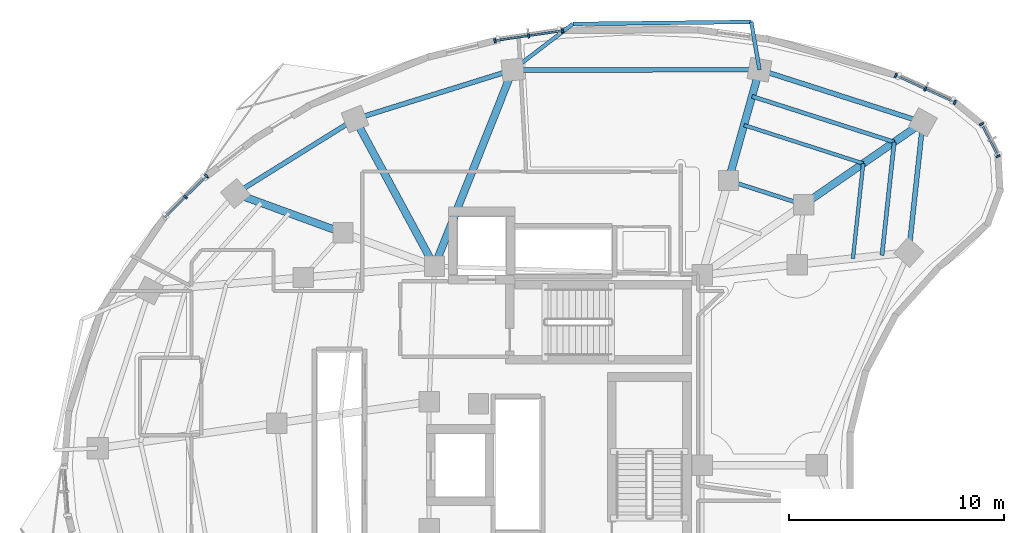
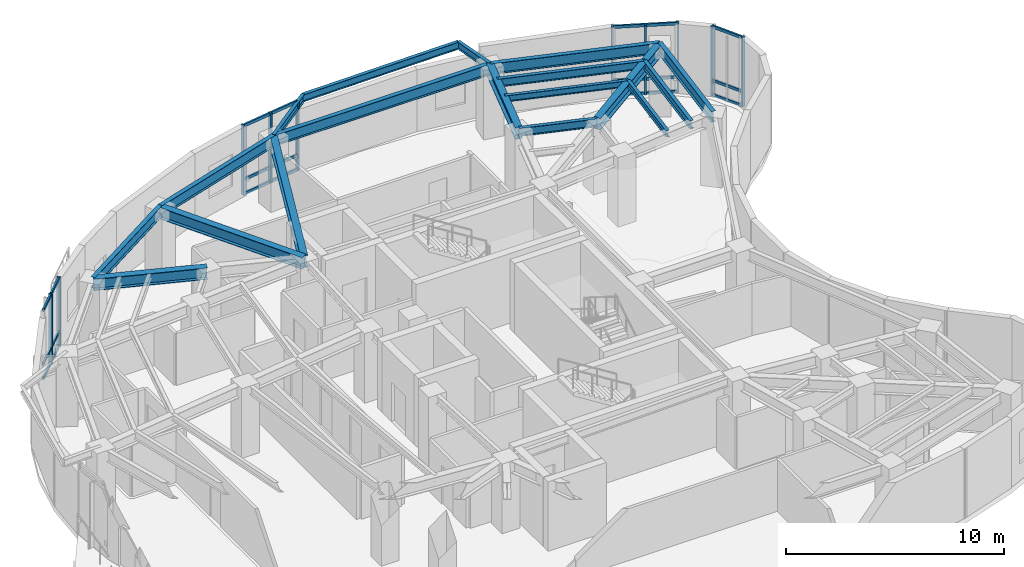
# One storey, part 5 of 13: 31 members, 18 beams, 4 elements without a shape of their own.
"""IFC4 building model written with IfcOpenShell, lengths in metres."""

import ifcopenshell
import ifcopenshell.guid

model = None  # the IFC model being written
_history = None  # IfcOwnerHistory: only IFC2X3 demands one
_inside = {}  # id of a spatial element -> (the spatial element, [elements in it])
_under = {}  # id of a project, library or spatial element -> (it, [spatial elements below it])
_declared = {}  # id of a project -> (the project, [libraries it declares])
_typed = {}  # id of a type object -> (the type object, [elements of that type])
_made_of = {}  # id of a material, layer set ... -> (it, [elements and type objects made of it])


def new_model(schema):
    """Start an empty IFC model of exactly this schema.

    Asked for "IFC4X3", IfcOpenShell would pick the latest addendum, in which some entities
    have other attributes; the version numbers below select the first issue.
    IFC2X3 requires an IfcOwnerHistory on every rooted entity: one is made here for all.
    """
    global model, _history
    if schema == "IFC4X3":
        model = ifcopenshell.file(schema_version=(4, 3, 0, 0))
    else:
        model = ifcopenshell.file(schema=schema)
    _inside.clear()
    _under.clear()
    _declared.clear()
    _typed.clear()
    _made_of.clear()
    _history = None
    if model.schema == "IFC2X3":
        org = make("IfcOrganization", Name="unknown")
        user = make(
            "IfcPersonAndOrganization",
            ThePerson=make("IfcPerson", FamilyName="unknown"),
            TheOrganization=org,
        )
        app = make(
            "IfcApplication",
            ApplicationDeveloper=org,
            Version="unknown",
            ApplicationFullName="unknown",
            ApplicationIdentifier="unknown",
        )
        _history = make(
            "IfcOwnerHistory",
            OwningUser=user,
            OwningApplication=app,
            ChangeAction="ADDED",
            CreationDate=0,
        )
    return model


def make(cls, **values):
    """One entity of the class cls with the attributes given. An attribute that is None is left unset."""
    return model.create_entity(
        cls, **{name: value for name, value in values.items() if value is not None}
    )


def rooted(cls, **values):
    """An entity with a GlobalId (a new one), such as an element, a storey or a relation."""
    return make(cls, GlobalId=ifcopenshell.guid.new(), OwnerHistory=_history, **values)


def si_unit(unit_type, name, prefix=None):
    """IfcSIUnit, for example si_unit("LENGTHUNIT", "METRE", prefix="MILLI")."""
    return make("IfcSIUnit", UnitType=unit_type, Prefix=prefix, Name=name)


def assignment(units):
    """IfcUnitAssignment: the units of a project."""
    return None if units is None else make("IfcUnitAssignment", Units=units)


def point(xyz):
    """IfcCartesianPoint."""
    return None if xyz is None else make("IfcCartesianPoint", Coordinates=xyz)


def direction(xyz):
    """IfcDirection."""
    return None if xyz is None else make("IfcDirection", DirectionRatios=xyz)


def frame(location, z_axis=None, x_axis=None):
    """IfcAxis2Placement3D, a coordinate frame: its origin and axes. An axis left out is left unset."""
    return make(
        "IfcAxis2Placement3D",
        Location=point(location),
        Axis=direction(z_axis),
        RefDirection=direction(x_axis),
    )


def frame_2d(location, x_axis=None):
    """IfcAxis2Placement2D, a coordinate frame in the plane: its origin and x axis."""
    return make(
        "IfcAxis2Placement2D", Location=point(location), RefDirection=direction(x_axis)
    )


def origin():
    """The frame at (0, 0, 0) with its axes left unset."""
    return frame((0.0, 0.0, 0.0))


def origin_2d():
    """The frame at (0, 0) in the plane with its x axis left unset."""
    return frame_2d((0.0, 0.0))


def place(relative_to, where):
    """IfcLocalPlacement: puts the frame where relative to a parent placement (None: the world)."""
    return make(
        "IfcLocalPlacement", PlacementRelTo=relative_to, RelativePlacement=where
    )


def context(
    kind, dimensions, precision=None, world=None, true_north=None, identifier=None
):
    """IfcGeometricRepresentationContext, for example the 3D "Model" context."""
    return make(
        "IfcGeometricRepresentationContext",
        ContextIdentifier=identifier,
        ContextType=kind,
        CoordinateSpaceDimension=dimensions,
        Precision=precision,
        WorldCoordinateSystem=world,
        TrueNorth=true_north,
    )


def subcontext(parent, identifier, kind, view, scale=None):
    """IfcGeometricRepresentationSubContext, for example "Body" below "Model"."""
    return make(
        "IfcGeometricRepresentationSubContext",
        ContextIdentifier=identifier,
        ContextType=kind,
        ParentContext=parent,
        TargetScale=scale,
        TargetView=view,
    )


def project(units=None, contexts=None):
    """IfcProject with its units and contexts."""
    return rooted(
        "IfcProject",
        Name="project",
        RepresentationContexts=contexts,
        UnitsInContext=assignment(units),
    )


def spatial(cls, under=None, at=None, **own):
    """A site, building, storey or space (cls), placed at a placement, below another one or the project."""
    s = rooted(cls, ObjectPlacement=at, **own)
    if under is not None:
        _under.setdefault(under.id(), (under, []))[1].append(s)
    return s


def profile(cls, at=None, kind="AREA", **sizes):
    """A parametric profile (cls). Its sizes go by their IFC names, for example OverallWidth=200.0."""
    return make(cls, ProfileType=kind, Position=at, **sizes)


def rectangle(**sizes):
    """IfcRectangleProfileDef."""
    return profile("IfcRectangleProfileDef", **sizes)


def i_section(**sizes):
    """IfcIShapeProfileDef."""
    return profile("IfcIShapeProfileDef", **sizes)


def extrude(swept, where, along, depth):
    """IfcExtrudedAreaSolid: the profile swept, set in the frame where, extruded along a direction by depth."""
    return make(
        "IfcExtrudedAreaSolid",
        SweptArea=swept,
        Position=where,
        ExtrudedDirection=direction(along),
        Depth=depth,
    )


def shape(context_of_items, identifier, shape_type, items):
    """IfcShapeRepresentation: the items that make up one representation, for example the "Body"."""
    return make(
        "IfcShapeRepresentation",
        ContextOfItems=context_of_items,
        RepresentationIdentifier=identifier,
        RepresentationType=shape_type,
        Items=items,
    )


def material(Name=None, Category=None):
    """IfcMaterial."""
    return make("IfcMaterial", Name=Name, Category=Category)


def layer(
    of_material, thickness, ventilated=None, Name=None, Category=None, Priority=None
):
    """IfcMaterialLayer: one layer of a wall or slab, of a material (None: an air gap)."""
    return make(
        "IfcMaterialLayer",
        Material=of_material,
        LayerThickness=thickness,
        IsVentilated=ventilated,
        Name=Name,
        Category=Category,
        Priority=Priority,
    )


def layer_set(layers, Name=None):
    """IfcMaterialLayerSet."""
    return make("IfcMaterialLayerSet", MaterialLayers=layers, LayerSetName=Name)


def material_profile(
    of_material, cross_section, Name=None, Category=None, Priority=None
):
    """IfcMaterialProfile: a cross section and its material."""
    return make(
        "IfcMaterialProfile",
        Name=Name,
        Material=of_material,
        Profile=cross_section,
        Priority=Priority,
        Category=Category,
    )


def profile_set(profiles, Name=None, composite=None):
    """IfcMaterialProfileSet."""
    return make(
        "IfcMaterialProfileSet",
        Name=Name,
        MaterialProfiles=profiles,
        CompositeProfile=composite,
    )


def made_of(thing, what):
    """Note that an element or type object is made of a material, layer set ...; save() writes the relation."""
    if what is not None:
        _made_of.setdefault(what.id(), (what, []))[1].append(thing)
    return thing


def type_object(cls, material=None, **own):
    """A type object (cls), such as IfcWallType, which elements share."""
    return made_of(rooted(cls, **own), material)


def element(
    cls,
    number,
    at=None,
    inside=None,
    cuts=None,
    type_object=None,
    material=None,
    context=None,
    identifier="Body",
    shape_type=None,
    held_by="IfcProductDefinitionShape",
    body=None,
    shapes=None,
    **own,
):
    """One element of the class cls, such as IfcWall. Its Tag is "e" and its number.

    at: its placement. inside: the storey or other place that contains it. cuts: it is an
    opening in that element (IfcRelVoidsElement). A single representation is given by context,
    identifier, shape_type and body (its items); several are given by shapes. held_by: the class
    of the entity that holds the representations. save() writes the other relations.
    """
    e = rooted(cls, Tag="e%d" % number, ObjectPlacement=at, **own)
    if body is not None:
        shapes = [shape(context, identifier, shape_type, body)]
    if shapes is not None:
        e.Representation = make(held_by, Representations=shapes)
    if inside is not None:
        _inside.setdefault(inside.id(), (inside, []))[1].append(e)
    if cuts is not None:
        rooted(
            "IfcRelVoidsElement", RelatingBuildingElement=cuts, RelatedOpeningElement=e
        )
    if type_object is not None:
        _typed.setdefault(type_object.id(), (type_object, []))[1].append(e)
    return made_of(e, material)


def aggregate(whole, parts):
    """IfcRelAggregates: a whole, such as a stair, and the parts it consists of."""
    return rooted("IfcRelAggregates", RelatingObject=whole, RelatedObjects=parts)


def save(model, path):
    """Write the relations noted so far, then the file.

    IfcRelAggregates (storeys below a building ...), IfcRelContainedInSpatialStructure (elements
    in a storey), IfcRelDefinesByType, IfcRelAssociatesMaterial and IfcRelDeclares: one each for
    every whole, place, type object, material and project.
    """
    for whole, parts in _under.values():
        aggregate(whole, parts)
    for where, things in _inside.values():
        rooted(
            "IfcRelContainedInSpatialStructure",
            RelatedElements=things,
            RelatingStructure=where,
        )
    for kind, things in _typed.values():
        rooted("IfcRelDefinesByType", RelatedObjects=things, RelatingType=kind)
    for what, things in _made_of.values():
        rooted("IfcRelAssociatesMaterial", RelatedObjects=things, RelatingMaterial=what)
    for by, libraries in _declared.values():
        rooted("IfcRelDeclares", RelatingContext=by, RelatedDefinitions=libraries)
    model.write(path)


model = new_model("IFC4")

# Units and contexts
model_context = context("Model", 3, precision=1e-05, world=origin(), true_north=direction((0.0, 1.0)))
body_context = subcontext(model_context, "Body", "Model", "MODEL_VIEW")
ifc_project = project(units=[si_unit("LENGTHUNIT", "METRE"), si_unit("AREAUNIT", "SQUARE_METRE"), si_unit("VOLUMEUNIT", "CUBIC_METRE"), si_unit("PLANEANGLEUNIT", "RADIAN"), si_unit("MASSUNIT", "GRAM", prefix="KILO")], contexts=[model_context])

# Site, building, storey
site_placement = place(None, origin())
site = spatial("IfcSite", under=ifc_project, at=site_placement, CompositionType="ELEMENT")
building_placement = place(site_placement, origin())
building = spatial("IfcBuilding", under=site, at=building_placement, Name="Korentha Bioscience Tower", CompositionType="ELEMENT")
storey_placement = place(building_placement, frame((0.0, 0.0, 175.199951171875)))
storey = spatial("IfcBuildingStorey", under=building, at=storey_placement, Name="L40", CompositionType="ELEMENT", Elevation=175.199951171875)

# Beam
ifc_material_1 = material(Name="Steel S355", Category="steel")
ifc_material_profile_1 = material_profile(ifc_material_1, i_section(OverallWidth=0.18994140625, OverallDepth=0.45703125, WebThickness=0.009033203125, FlangeThickness=0.014404296875, at=origin_2d()), Name="Steel S355")
ifc_profile_set_1 = profile_set([ifc_material_profile_1], Name="Steel S355 (MB-460)")
beam_type_1 = type_object("IfcBeamType", Name="Mid-Ring Tie Girder W460x74", PredefinedType="BEAM", material=ifc_profile_set_1)
beam_1_placement = place(storey_placement, frame((42.274658203125, 39.1171875, 3.671630859375), z_axis=(-0.952000195343, 0.306097415976, 0.0), x_axis=(-0.306097415976, -0.952000195343, 0.0)))
element("IfcBeam", 1, at=beam_1_placement, inside=storey, type_object=beam_type_1, Name="L40 Mid-Ring Tie Girder 01", PredefinedType="BEAM", context=body_context, shape_type="SweptSolid", body=[
    extrude(i_section(OverallWidth=0.18994140625, OverallDepth=0.45703125, WebThickness=0.009033203125, FlangeThickness=0.014404296875, at=origin_2d()), origin(), (0.0, 0.0, 1.0), 3.672119140625),
])

# Curtain wall, members
ifc_material_2 = material(Name="Thermally Broken Aluminium Frame", Category="aluminium")
ifc_layer = layer(ifc_material_2, 0.219970703125, Name="Thermally Broken Aluminium Frame")
ifc_layer_set = layer_set([ifc_layer], Name="Thermally Broken Aluminium Frame (CW-T2)")
curtain_wall_type = type_object("IfcCurtainWallType", Name="Solar-Screened Lab Unitised Curtain Wall CW-T2", PredefinedType="USERDEFINED", material=ifc_layer_set)
curtain_wall_1_placement = place(storey_placement, origin())
curtain_wall_1 = element("IfcCurtainWall", 2, at=curtain_wall_1_placement, inside=storey, type_object=curtain_wall_type, Name="L40 Curtain Wall 01", ObjectType="UNITISED", PredefinedType="USERDEFINED")
ifc_material_3 = material(Name="Anodised Aluminium 6063-T6", Category="aluminium")
ifc_material_profile_2 = material_profile(ifc_material_3, rectangle(XDim=0.090087890625, YDim=0.199951171875, at=origin_2d()), Name="Anodised Aluminium 6063-T6")
ifc_profile_set_2 = profile_set([ifc_material_profile_2], Name="Anodised Aluminium 6063-T6 (CW-MUL)")
member_type_1 = type_object("IfcMemberType", Name="Mullion RECT 90x200", PredefinedType="MULLION", material=ifc_profile_set_2)
member_1_placement = place(storey_placement, frame((49.314453125, 43.878173828125, 0.0), z_axis=(0.0, 0.0, 1.0), x_axis=(-0.910644398392, 0.413190972406, 0.0)))
member_1 = element("IfcMember", 3, at=member_1_placement, type_object=member_type_1, Name="CW-L40-01 Mullion 1", PredefinedType="MULLION", context=body_context, shape_type="SweptSolid", body=[
    extrude(rectangle(XDim=0.090087890625, YDim=0.199951171875, at=origin_2d()), origin(), (0.0, 0.0, 1.0), 3.900146484375),
])
member_2_placement = place(storey_placement, frame((47.93701171875, 44.503173828125, 0.0), z_axis=(0.0, 0.0, 1.0), x_axis=(-0.910644398392, 0.413190972406, 0.0)))
member_2 = element("IfcMember", 4, at=member_2_placement, type_object=member_type_1, Name="CW-L40-01 Mullion 2", PredefinedType="MULLION", context=body_context, shape_type="SweptSolid", body=[
    extrude(rectangle(XDim=0.090087890625, YDim=0.199951171875, at=origin_2d()), origin(), (0.0, 0.0, 1.0), 3.900146484375),
])
member_3_placement = place(storey_placement, frame((46.5595703125, 45.128173828125, 0.0), z_axis=(0.0, 0.0, 1.0), x_axis=(-0.910644398392, 0.413190972406, 0.0)))
member_3 = element("IfcMember", 5, at=member_3_placement, type_object=member_type_1, Name="CW-L40-01 Mullion 3", PredefinedType="MULLION", context=body_context, shape_type="SweptSolid", body=[
    extrude(rectangle(XDim=0.090087890625, YDim=0.199951171875, at=origin_2d()), origin(), (0.0, 0.0, 1.0), 3.900146484375),
])

curtain_wall_2_placement = place(storey_placement, origin())
curtain_wall_2 = element("IfcCurtainWall", 6, at=curtain_wall_2_placement, inside=storey, type_object=curtain_wall_type, Name="L40 Curtain Wall 07", ObjectType="UNITISED", PredefinedType="USERDEFINED")
member_4_placement = place(storey_placement, frame((31.056640625, 47.205078125, 0.0), z_axis=(0.0, 0.0, 1.0), x_axis=(-0.989461919888, -0.144793332342, 0.0)))
member_4 = element("IfcMember", 7, at=member_4_placement, type_object=member_type_1, Name="CW-L40-07 Mullion 1", PredefinedType="MULLION", context=body_context, shape_type="SweptSolid", body=[
    extrude(rectangle(XDim=0.090087890625, YDim=0.199951171875, at=origin_2d()), origin(), (0.0, 0.0, 1.0), 3.900146484375),
])
member_5_placement = place(storey_placement, frame((29.485107421875, 46.97509765625, 0.0), z_axis=(0.0, 0.0, 1.0), x_axis=(-0.989461919888, -0.144793332342, 0.0)))
member_5 = element("IfcMember", 8, at=member_5_placement, type_object=member_type_1, Name="CW-L40-07 Mullion 2", PredefinedType="MULLION", context=body_context, shape_type="SweptSolid", body=[
    extrude(rectangle(XDim=0.090087890625, YDim=0.199951171875, at=origin_2d()), origin(), (0.0, 0.0, 1.0), 3.900146484375),
])
member_6_placement = place(storey_placement, frame((27.913330078125, 46.7451171875, 0.0), z_axis=(0.0, 0.0, 1.0), x_axis=(-0.989461919888, -0.144793332342, 0.0)))
member_6 = element("IfcMember", 9, at=member_6_placement, type_object=member_type_1, Name="CW-L40-07 Mullion 3", PredefinedType="MULLION", context=body_context, shape_type="SweptSolid", body=[
    extrude(rectangle(XDim=0.090087890625, YDim=0.199951171875, at=origin_2d()), origin(), (0.0, 0.0, 1.0), 3.900146484375),
])

curtain_wall_3_placement = place(storey_placement, origin())
curtain_wall_3 = element("IfcCurtainWall", 10, at=curtain_wall_3_placement, inside=storey, type_object=curtain_wall_type, Name="L40 Curtain Wall 13", ObjectType="UNITISED", PredefinedType="USERDEFINED")
member_7_placement = place(storey_placement, frame((14.49951171875, 40.44287109375, 0.0), z_axis=(0.0, 0.0, 1.0), x_axis=(-0.711460557971, -0.702726030862, 0.0)))
member_7 = element("IfcMember", 11, at=member_7_placement, type_object=member_type_1, Name="CW-L40-13 Mullion 1", PredefinedType="MULLION", context=body_context, shape_type="SweptSolid", body=[
    extrude(rectangle(XDim=0.090087890625, YDim=0.199951171875, at=origin_2d()), origin(), (0.0, 0.0, 1.0), 3.900146484375),
])
member_8_placement = place(storey_placement, frame((13.517333984375, 39.472900390625, 0.0), z_axis=(0.0, 0.0, 1.0), x_axis=(-0.711460557971, -0.702726030862, 0.0)))
member_8 = element("IfcMember", 12, at=member_8_placement, type_object=member_type_1, Name="CW-L40-13 Mullion 2", PredefinedType="MULLION", context=body_context, shape_type="SweptSolid", body=[
    extrude(rectangle(XDim=0.090087890625, YDim=0.199951171875, at=origin_2d()), origin(), (0.0, 0.0, 1.0), 3.900146484375),
])

curtain_wall_4_placement = place(storey_placement, origin())
curtain_wall_4 = element("IfcCurtainWall", 13, at=curtain_wall_4_placement, inside=storey, type_object=curtain_wall_type, Name="L40 Curtain Wall 61", ObjectType="UNITISED", PredefinedType="USERDEFINED")
member_9_placement = place(storey_placement, frame((51.31884765625, 41.375732421875, 0.0), z_axis=(0.0, 0.0, 1.0), x_axis=(-0.45428845847, 0.890854643868, 0.0)))
member_9 = element("IfcMember", 14, at=member_9_placement, type_object=member_type_1, Name="CW-L40-61 Mullion 1", PredefinedType="MULLION", context=body_context, shape_type="SweptSolid", body=[
    extrude(rectangle(XDim=0.090087890625, YDim=0.199951171875, at=origin_2d()), origin(), (0.0, 0.0, 1.0), 3.900146484375),
])
member_10_placement = place(storey_placement, frame((50.5546875, 42.873779296875, 0.0), z_axis=(0.0, 0.0, 1.0), x_axis=(-0.45428845847, 0.890854643868, 0.0)))
member_10 = element("IfcMember", 15, at=member_10_placement, type_object=member_type_1, Name="CW-L40-61 Mullion 2", PredefinedType="MULLION", context=body_context, shape_type="SweptSolid", body=[
    extrude(rectangle(XDim=0.090087890625, YDim=0.199951171875, at=origin_2d()), origin(), (0.0, 0.0, 1.0), 3.900146484375),
])

# Beams
ifc_material_profile_3 = material_profile(ifc_material_1, i_section(OverallWidth=0.22802734375, OverallDepth=0.60791015625, WebThickness=0.01123046875, FlangeThickness=0.017333984375, at=origin_2d()), Name="Steel S355")
ifc_profile_set_3 = profile_set([ifc_material_profile_3], Name="Steel S355 (SB-610)")
beam_type_2 = type_object("IfcBeamType", Name="Perimeter Ring Spandrel Girder W610x113", PredefinedType="SPANDREL", material=ifc_profile_set_3)
beam_2_placement = place(storey_placement, frame((47.821044921875, 42.95263671875, 3.595947265625), z_axis=(-0.952008512555, 0.306071547228, 0.0), x_axis=(-0.306071547228, -0.952008512555, 0.0)))
element("IfcBeam", 16, at=beam_2_placement, inside=storey, type_object=beam_type_2, Name="L40 Perimeter Spandrel Girder 01", PredefinedType="SPANDREL", context=body_context, shape_type="SweptSolid", body=[
    extrude(i_section(OverallWidth=0.22802734375, OverallDepth=0.60791015625, WebThickness=0.01123046875, FlangeThickness=0.017333984375, at=origin_2d()), origin(), (0.0, 0.0, 1.0), 7.98291015625),
])
beam_3_placement = place(storey_placement, frame((40.22119140625, 45.39599609375, 3.595947265625), z_axis=(-0.99999988041, -0.000489059883, 0.0), x_axis=(0.000489059883, -0.99999988041, 0.0)))
element("IfcBeam", 17, at=beam_3_placement, inside=storey, type_object=beam_type_2, Name="L40 Perimeter Spandrel Girder 02", PredefinedType="SPANDREL", context=body_context, shape_type="SweptSolid", body=[
    extrude(i_section(OverallWidth=0.22802734375, OverallDepth=0.60791015625, WebThickness=0.01123046875, FlangeThickness=0.017333984375, at=origin_2d()), origin(), (0.0, 0.0, 1.0), 11.481689453125),
])
beam_4_placement = place(storey_placement, frame((28.739501953125, 45.390380859375, 3.595947265625), z_axis=(-0.954638172607, -0.29776829818, 0.0), x_axis=(0.29776829818, -0.954638172607, 0.0)))
element("IfcBeam", 18, at=beam_4_placement, inside=storey, type_object=beam_type_2, Name="L40 Perimeter Spandrel Girder 03", PredefinedType="SPANDREL", context=body_context, shape_type="SweptSolid", body=[
    extrude(i_section(OverallWidth=0.22802734375, OverallDepth=0.60791015625, WebThickness=0.01123046875, FlangeThickness=0.017333984375, at=origin_2d()), origin(), (0.0, 0.0, 1.0), 7.682373046875),
])
beam_5_placement = place(storey_placement, frame((21.405517578125, 43.102783203125, 3.595947265625), z_axis=(-0.848675740059, -0.528913497876, 0.0), x_axis=(0.528913497876, -0.848675740059, 0.0)))
element("IfcBeam", 19, at=beam_5_placement, inside=storey, type_object=beam_type_2, Name="L40 Perimeter Spandrel Girder 04", PredefinedType="SPANDREL", context=body_context, shape_type="SweptSolid", body=[
    extrude(i_section(OverallWidth=0.22802734375, OverallDepth=0.60791015625, WebThickness=0.01123046875, FlangeThickness=0.017333984375, at=origin_2d()), origin(), (0.0, 0.0, 1.0), 6.55322265625),
])
beam_6_placement = place(storey_placement, frame((47.16748046875, 36.89794921875, 3.595947265625), z_axis=(0.10732012232, 0.994224517574, 0.0), x_axis=(-0.994224517574, 0.10732012232, 0.0)))
element("IfcBeam", 20, at=beam_6_placement, inside=storey, type_object=beam_type_2, Name="L40 Perimeter Spandrel Girder 16", PredefinedType="SPANDREL", context=body_context, shape_type="SweptSolid", body=[
    extrude(i_section(OverallWidth=0.22802734375, OverallDepth=0.60791015625, WebThickness=0.01123046875, FlangeThickness=0.017333984375, at=origin_2d()), origin(), (0.0, 0.0, 1.0), 6.08984375),
])
ifc_material_profile_4 = material_profile(ifc_material_1, i_section(OverallWidth=0.18994140625, OverallDepth=0.45703125, WebThickness=0.009033203125, FlangeThickness=0.014404296875, at=origin_2d()), Name="Steel S355")
ifc_profile_set_4 = profile_set([ifc_material_profile_4], Name="Steel S355 (RB-460)")
beam_type_3 = type_object("IfcBeamType", Name="Radial Laboratory Beam W460x74", PredefinedType="BEAM", material=ifc_profile_set_4)
beam_7_placement = place(storey_placement, frame((46.489990234375, 42.031982421875, 3.671630859375), z_axis=(-0.952009183817, 0.306069459318, 0.0), x_axis=(-0.306069459318, -0.952009183817, 0.0)))
element("IfcBeam", 21, at=beam_7_placement, inside=storey, type_object=beam_type_3, Name="L40 Secondary Floor Beam JSTO-01", PredefinedType="BEAM", context=body_context, shape_type="SweptSolid", body=[
    extrude(i_section(OverallWidth=0.18994140625, OverallDepth=0.45703125, WebThickness=0.009033203125, FlangeThickness=0.014404296875, at=origin_2d()), origin(), (0.0, 0.0, 1.0), 6.948486328125),
])
beam_8_placement = place(storey_placement, frame((45.921142578125, 36.76220703125, 3.671630859375), z_axis=(0.107321875607, 0.994224328316, 0.0), x_axis=(-0.994224328316, 0.107321875607, 0.0)))
element("IfcBeam", 22, at=beam_8_placement, inside=storey, type_object=beam_type_3, Name="L40 Secondary Floor Beam JSTO-16", PredefinedType="BEAM", context=body_context, shape_type="SweptSolid", body=[
    extrude(i_section(OverallWidth=0.18994140625, OverallDepth=0.45703125, WebThickness=0.009033203125, FlangeThickness=0.014404296875, at=origin_2d()), origin(), (0.0, 0.0, 1.0), 5.30029296875),
])
ifc_material_profile_5 = material_profile(ifc_material_1, i_section(OverallWidth=0.35009765625, OverallDepth=0.64990234375, WebThickness=0.01611328125, FlangeThickness=0.02490234375, at=origin_2d()), Name="Steel S355")
ifc_profile_set_5 = profile_set([ifc_material_profile_5], Name="Steel S355 (RB-650)")
beam_type_4 = type_object("IfcBeamType", Name="Radial Laboratory Girder CVS 650x208", PredefinedType="BEAM", material=ifc_profile_set_5)
beam_9_placement = place(storey_placement, frame((42.274658203125, 39.1171875, 3.574951171875), z_axis=(0.822494455845, 0.568773127094, 0.0), x_axis=(-0.568773127094, 0.822494455845, 0.0)))
element("IfcBeam", 23, at=beam_9_placement, inside=storey, type_object=beam_type_4, Name="L40 Outer Radial Girder 01", PredefinedType="BEAM", context=body_context, shape_type="SweptSolid", body=[
    extrude(i_section(OverallWidth=0.35009765625, OverallDepth=0.64990234375, WebThickness=0.01611328125, FlangeThickness=0.02490234375, at=origin_2d()), origin(), (0.0, 0.0, 1.0), 6.743408203125),
])
beam_10_placement = place(storey_placement, frame((38.77880859375, 40.2412109375, 3.574951171875), z_axis=(0.269464128344, 0.963010427532, 0.0), x_axis=(-0.963010427532, 0.269464128344, 0.0)))
element("IfcBeam", 24, at=beam_10_placement, inside=storey, type_object=beam_type_4, Name="L40 Outer Radial Girder 02", PredefinedType="BEAM", context=body_context, shape_type="SweptSolid", body=[
    extrude(i_section(OverallWidth=0.35009765625, OverallDepth=0.64990234375, WebThickness=0.01611328125, FlangeThickness=0.02490234375, at=origin_2d()), origin(), (0.0, 0.0, 1.0), 5.352783203125),
])
beam_11_placement = place(storey_placement, frame((25.10009765625, 36.25, 3.574951171875), z_axis=(0.369922682955, 0.929062542909, 0.0), x_axis=(-0.929062542909, 0.369922682955, 0.0)))
element("IfcBeam", 25, at=beam_11_placement, inside=storey, type_object=beam_type_4, Name="L40 Radial Girder 03", PredefinedType="BEAM", context=body_context, shape_type="SweptSolid", body=[
    extrude(i_section(OverallWidth=0.35009765625, OverallDepth=0.64990234375, WebThickness=0.01611328125, FlangeThickness=0.02490234375, at=origin_2d()), origin(), (0.0, 0.0, 1.0), 9.83837890625),
])
beam_12_placement = place(storey_placement, frame((25.10009765625, 36.25, 3.574951171875), z_axis=(-0.474559790141, 0.880223270302, 0.0), x_axis=(-0.880223270302, -0.474559790141, 0.0)))
element("IfcBeam", 26, at=beam_12_placement, inside=storey, type_object=beam_type_4, Name="L40 Radial Girder 04", PredefinedType="BEAM", context=body_context, shape_type="SweptSolid", body=[
    extrude(i_section(OverallWidth=0.35009765625, OverallDepth=0.64990234375, WebThickness=0.01611328125, FlangeThickness=0.02490234375, at=origin_2d()), origin(), (0.0, 0.0, 1.0), 7.785400390625),
])
beam_13_placement = place(storey_placement, frame((20.84228515625, 37.807861328125, 3.574951171875), z_axis=(-0.939109855566, 0.343617053097, 0.0), x_axis=(-0.343617053097, -0.939109855566, 0.0)))
element("IfcBeam", 27, at=beam_13_placement, inside=storey, type_object=beam_type_4, Name="L40 Outer Radial Girder 05", PredefinedType="BEAM", context=body_context, shape_type="SweptSolid", body=[
    extrude(i_section(OverallWidth=0.35009765625, OverallDepth=0.64990234375, WebThickness=0.01611328125, FlangeThickness=0.02490234375, at=origin_2d()), origin(), (0.0, 0.0, 1.0), 5.322265625),
])
ifc_material_profile_6 = material_profile(ifc_material_1, i_section(OverallWidth=0.1708984375, OverallDepth=0.35498046875, WebThickness=0.007080078125, FlangeThickness=0.01171875, at=origin_2d()), Name="Steel S355")
ifc_profile_set_6 = profile_set([ifc_material_profile_6], Name="Steel S355 (JB-360)")
beam_type_5 = type_object("IfcBeamType", Name="Secondary Laboratory Joist W360x51", PredefinedType="JOIST", material=ifc_profile_set_6)
beam_14_placement = place(storey_placement, frame((45.0478515625, 41.034912109375, 3.72265625), z_axis=(-0.952005892166, 0.306079697596, 0.0), x_axis=(-0.306079697596, -0.952005892166, 0.0)))
element("IfcBeam", 28, at=beam_14_placement, inside=storey, type_object=beam_type_5, Name="L40 Secondary Floor Beam JST-01", PredefinedType="JOIST", context=body_context, shape_type="SweptSolid", body=[
    extrude(i_section(OverallWidth=0.1708984375, OverallDepth=0.35498046875, WebThickness=0.007080078125, FlangeThickness=0.01171875, at=origin_2d()), origin(), (0.0, 0.0, 1.0), 5.82763671875),
])
beam_15_placement = place(storey_placement, frame((44.57080078125, 36.614990234375, 3.72265625), z_axis=(0.107308722475, 0.994225748048, 0.0), x_axis=(-0.994225748048, 0.107308722475, 0.0)))
element("IfcBeam", 29, at=beam_15_placement, inside=storey, type_object=beam_type_5, Name="L40 Secondary Floor Beam JST-16", PredefinedType="JOIST", context=body_context, shape_type="SweptSolid", body=[
    extrude(i_section(OverallWidth=0.1708984375, OverallDepth=0.35498046875, WebThickness=0.007080078125, FlangeThickness=0.01171875, at=origin_2d()), origin(), (0.0, 0.0, 1.0), 4.445556640625),
])
ifc_material_profile_7 = material_profile(ifc_material_1, i_section(OverallWidth=0.177978515625, OverallDepth=0.406982421875, WebThickness=0.0078125, FlangeThickness=0.0126953125, at=origin_2d()), Name="Steel S355")
ifc_profile_set_7 = profile_set([ifc_material_profile_7], Name="Steel S355 (CB-410)")
beam_type_6 = type_object("IfcBeamType", Name="Sun-Ledge Cantilever Beam W410x60", PredefinedType="BEAM", material=ifc_profile_set_7)
beam_16_placement = place(storey_placement, frame((40.22119140625, 45.39599609375, 3.698486328125), z_axis=(-0.169095852477, 0.985599610732, 0.0), x_axis=(-0.985599610732, -0.169095852477, 0.0)))
element("IfcBeam", 30, at=beam_16_placement, inside=storey, type_object=beam_type_6, Name="L40 Balcony Cantilever Bracket A-L41-01", PredefinedType="BEAM", context=body_context, shape_type="SweptSolid", body=[
    extrude(i_section(OverallWidth=0.177978515625, OverallDepth=0.406982421875, WebThickness=0.0078125, FlangeThickness=0.0126953125, at=origin_2d()), origin(), (0.0, 0.0, 1.0), 2.258056640625),
])
beam_17_placement = place(storey_placement, frame((28.739501953125, 45.390380859375, 3.698486328125), z_axis=(0.794810389594, 0.606857845458, 0.0), x_axis=(-0.606857845458, 0.794810389594, 0.0)))
element("IfcBeam", 31, at=beam_17_placement, inside=storey, type_object=beam_type_6, Name="L40 Balcony Cantilever Bracket B-L41-01", PredefinedType="BEAM", context=body_context, shape_type="SweptSolid", body=[
    extrude(i_section(OverallWidth=0.177978515625, OverallDepth=0.406982421875, WebThickness=0.0078125, FlangeThickness=0.0126953125, at=origin_2d()), origin(), (0.0, 0.0, 1.0), 3.520263671875),
])
beam_18_placement = place(storey_placement, frame((39.83935546875, 47.62158203125, 3.698486328125), z_axis=(-0.999934575407, -0.011438745768, 0.0), x_axis=(0.011438745768, -0.999934575407, 0.0)))
element("IfcBeam", 32, at=beam_18_placement, inside=storey, type_object=beam_type_6, Name="L40 Balcony Edge Trimmer Beam L41-01", PredefinedType="BEAM", context=body_context, shape_type="SweptSolid", body=[
    extrude(i_section(OverallWidth=0.177978515625, OverallDepth=0.406982421875, WebThickness=0.0078125, FlangeThickness=0.0126953125, at=origin_2d()), origin(), (0.0, 0.0, 1.0), 8.302490234375),
])

# Member
ifc_material_profile_8 = material_profile(ifc_material_3, rectangle(XDim=0.090087890625, YDim=0.159912109375, at=origin_2d()), Name="Anodised Aluminium 6063-T6")
ifc_profile_set_8 = profile_set([ifc_material_profile_8], Name="Anodised Aluminium 6063-T6 (CW-TRN)")
member_type_2 = type_object("IfcMemberType", Name="Transom RECT 90x160", PredefinedType="USERDEFINED", material=ifc_profile_set_8)
member_11_placement = place(storey_placement, frame((49.2734375, 43.896728515625, 0.045166015625), z_axis=(-0.910613165474, 0.41325980069, 0.0), x_axis=(-0.41325980069, -0.910613165474, 0.0)))
member_11 = element("IfcMember", 33, at=member_11_placement, type_object=member_type_2, Name="CW-L40-01 Bay 1 Transom 1", ObjectType="TRANSOM", PredefinedType="USERDEFINED", context=body_context, shape_type="SweptSolid", body=[
    extrude(rectangle(XDim=0.090087890625, YDim=0.159912109375, at=origin_2d()), origin(), (0.0, 0.0, 1.0), 1.422607421875),
])

member_12_placement = place(storey_placement, frame((49.2734375, 43.896728515625, 0.85009765625), z_axis=(-0.910613165474, 0.41325980069, 0.0), x_axis=(-0.41325980069, -0.910613165474, 0.0)))
member_12 = element("IfcMember", 34, at=member_12_placement, type_object=member_type_2, Name="CW-L40-01 Bay 1 Transom 2", ObjectType="TRANSOM", PredefinedType="USERDEFINED", context=body_context, shape_type="SweptSolid", body=[
    extrude(rectangle(XDim=0.090087890625, YDim=0.159912109375, at=origin_2d()), origin(), (0.0, 0.0, 1.0), 1.422607421875),
])

member_13_placement = place(storey_placement, frame((49.2734375, 43.896728515625, 3.85498046875), z_axis=(-0.910613165474, 0.41325980069, 0.0), x_axis=(-0.41325980069, -0.910613165474, 0.0)))
member_13 = element("IfcMember", 35, at=member_13_placement, type_object=member_type_2, Name="CW-L40-01 Bay 1 Transom 3", ObjectType="TRANSOM", PredefinedType="USERDEFINED", context=body_context, shape_type="SweptSolid", body=[
    extrude(rectangle(XDim=0.090087890625, YDim=0.159912109375, at=origin_2d()), origin(), (0.0, 0.0, 1.0), 1.422607421875),
])

member_14_placement = place(storey_placement, frame((47.89599609375, 44.521728515625, 0.045166015625), z_axis=(-0.910613165474, 0.41325980069, 0.0), x_axis=(-0.41325980069, -0.910613165474, 0.0)))
member_14 = element("IfcMember", 36, at=member_14_placement, type_object=member_type_2, Name="CW-L40-01 Bay 2 Transom 1", ObjectType="TRANSOM", PredefinedType="USERDEFINED", context=body_context, shape_type="SweptSolid", body=[
    extrude(rectangle(XDim=0.090087890625, YDim=0.159912109375, at=origin_2d()), origin(), (0.0, 0.0, 1.0), 1.422607421875),
])

member_15_placement = place(storey_placement, frame((47.89599609375, 44.521728515625, 0.85009765625), z_axis=(-0.910613165474, 0.41325980069, 0.0), x_axis=(-0.41325980069, -0.910613165474, 0.0)))
member_15 = element("IfcMember", 37, at=member_15_placement, type_object=member_type_2, Name="CW-L40-01 Bay 2 Transom 2", ObjectType="TRANSOM", PredefinedType="USERDEFINED", context=body_context, shape_type="SweptSolid", body=[
    extrude(rectangle(XDim=0.090087890625, YDim=0.159912109375, at=origin_2d()), origin(), (0.0, 0.0, 1.0), 1.422607421875),
])

member_16_placement = place(storey_placement, frame((47.89599609375, 44.521728515625, 3.85498046875), z_axis=(-0.910613165474, 0.41325980069, 0.0), x_axis=(-0.41325980069, -0.910613165474, 0.0)))
member_16 = element("IfcMember", 38, at=member_16_placement, type_object=member_type_2, Name="CW-L40-01 Bay 2 Transom 3", ObjectType="TRANSOM", PredefinedType="USERDEFINED", context=body_context, shape_type="SweptSolid", body=[
    extrude(rectangle(XDim=0.090087890625, YDim=0.159912109375, at=origin_2d()), origin(), (0.0, 0.0, 1.0), 1.422607421875),
])

aggregate(curtain_wall_1, [member_1, member_2, member_3, member_11, member_12, member_13, member_14, member_15, member_16])

member_17_placement = place(storey_placement, frame((31.01220703125, 47.198486328125, 0.045166015625), z_axis=(-0.989478137929, -0.144682461136, 0.0), x_axis=(0.144682461136, -0.989478137929, 0.0)))
member_17 = element("IfcMember", 39, at=member_17_placement, type_object=member_type_2, Name="CW-L40-07 Bay 1 Transom 1", ObjectType="TRANSOM", PredefinedType="USERDEFINED", context=body_context, shape_type="SweptSolid", body=[
    extrude(rectangle(XDim=0.090087890625, YDim=0.159912109375, at=origin_2d()), origin(), (0.0, 0.0, 1.0), 1.49853515625),
])

member_18_placement = place(storey_placement, frame((31.01220703125, 47.198486328125, 0.85009765625), z_axis=(-0.989478137929, -0.144682461136, 0.0), x_axis=(0.144682461136, -0.989478137929, 0.0)))
member_18 = element("IfcMember", 40, at=member_18_placement, type_object=member_type_2, Name="CW-L40-07 Bay 1 Transom 2", ObjectType="TRANSOM", PredefinedType="USERDEFINED", context=body_context, shape_type="SweptSolid", body=[
    extrude(rectangle(XDim=0.090087890625, YDim=0.159912109375, at=origin_2d()), origin(), (0.0, 0.0, 1.0), 1.49853515625),
])

member_19_placement = place(storey_placement, frame((31.01220703125, 47.198486328125, 3.85498046875), z_axis=(-0.989478137929, -0.144682461136, 0.0), x_axis=(0.144682461136, -0.989478137929, 0.0)))
member_19 = element("IfcMember", 41, at=member_19_placement, type_object=member_type_2, Name="CW-L40-07 Bay 1 Transom 3", ObjectType="TRANSOM", PredefinedType="USERDEFINED", context=body_context, shape_type="SweptSolid", body=[
    extrude(rectangle(XDim=0.090087890625, YDim=0.159912109375, at=origin_2d()), origin(), (0.0, 0.0, 1.0), 1.49853515625),
])

member_20_placement = place(storey_placement, frame((29.4404296875, 46.968505859375, 0.045166015625), z_axis=(-0.989474726473, -0.144705790038, 0.0), x_axis=(0.144705790038, -0.989474726473, 0.0)))
member_20 = element("IfcMember", 42, at=member_20_placement, type_object=member_type_2, Name="CW-L40-07 Bay 2 Transom 1", ObjectType="TRANSOM", PredefinedType="USERDEFINED", context=body_context, shape_type="SweptSolid", body=[
    extrude(rectangle(XDim=0.090087890625, YDim=0.159912109375, at=origin_2d()), origin(), (0.0, 0.0, 1.0), 1.498291015625),
])

member_21_placement = place(storey_placement, frame((29.4404296875, 46.968505859375, 0.85009765625), z_axis=(-0.989474726473, -0.144705790038, 0.0), x_axis=(0.144705790038, -0.989474726473, 0.0)))
member_21 = element("IfcMember", 43, at=member_21_placement, type_object=member_type_2, Name="CW-L40-07 Bay 2 Transom 2", ObjectType="TRANSOM", PredefinedType="USERDEFINED", context=body_context, shape_type="SweptSolid", body=[
    extrude(rectangle(XDim=0.090087890625, YDim=0.159912109375, at=origin_2d()), origin(), (0.0, 0.0, 1.0), 1.498291015625),
])

member_22_placement = place(storey_placement, frame((29.4404296875, 46.968505859375, 3.85498046875), z_axis=(-0.989474726473, -0.144705790038, 0.0), x_axis=(0.144705790038, -0.989474726473, 0.0)))
member_22 = element("IfcMember", 44, at=member_22_placement, type_object=member_type_2, Name="CW-L40-07 Bay 2 Transom 3", ObjectType="TRANSOM", PredefinedType="USERDEFINED", context=body_context, shape_type="SweptSolid", body=[
    extrude(rectangle(XDim=0.090087890625, YDim=0.159912109375, at=origin_2d()), origin(), (0.0, 0.0, 1.0), 1.498291015625),
])

aggregate(curtain_wall_2, [member_4, member_5, member_6, member_17, member_18, member_19, member_20, member_21, member_22])

member_23_placement = place(storey_placement, frame((14.46728515625, 40.4111328125, 0.045166015625), z_axis=(-0.711445315109, -0.70274146285, 0.0), x_axis=(0.70274146285, -0.711445315109, 0.0)))
member_23 = element("IfcMember", 45, at=member_23_placement, type_object=member_type_2, Name="CW-L40-13 Bay 1 Transom 1", ObjectType="TRANSOM", PredefinedType="USERDEFINED", context=body_context, shape_type="SweptSolid", body=[
    extrude(rectangle(XDim=0.090087890625, YDim=0.159912109375, at=origin_2d()), origin(), (0.0, 0.0, 1.0), 1.290283203125),
])

member_24_placement = place(storey_placement, frame((14.46728515625, 40.4111328125, 0.85009765625), z_axis=(-0.711445315109, -0.70274146285, 0.0), x_axis=(0.70274146285, -0.711445315109, 0.0)))
member_24 = element("IfcMember", 46, at=member_24_placement, type_object=member_type_2, Name="CW-L40-13 Bay 1 Transom 2", ObjectType="TRANSOM", PredefinedType="USERDEFINED", context=body_context, shape_type="SweptSolid", body=[
    extrude(rectangle(XDim=0.090087890625, YDim=0.159912109375, at=origin_2d()), origin(), (0.0, 0.0, 1.0), 1.290283203125),
])

member_25_placement = place(storey_placement, frame((14.46728515625, 40.4111328125, 3.85498046875), z_axis=(-0.711445315109, -0.70274146285, 0.0), x_axis=(0.70274146285, -0.711445315109, 0.0)))
member_25 = element("IfcMember", 47, at=member_25_placement, type_object=member_type_2, Name="CW-L40-13 Bay 1 Transom 3", ObjectType="TRANSOM", PredefinedType="USERDEFINED", context=body_context, shape_type="SweptSolid", body=[
    extrude(rectangle(XDim=0.090087890625, YDim=0.159912109375, at=origin_2d()), origin(), (0.0, 0.0, 1.0), 1.290283203125),
])

member_26_placement = place(storey_placement, frame((13.4853515625, 39.441162109375, 0.045166015625), z_axis=(-0.711444158079, -0.70274263421, 0.0), x_axis=(0.70274263421, -0.711444158079, 0.0)))
member_26 = element("IfcMember", 48, at=member_26_placement, type_object=member_type_2, Name="CW-L40-13 Bay 2 Transom 1", ObjectType="TRANSOM", PredefinedType="USERDEFINED", context=body_context, shape_type="SweptSolid", body=[
    extrude(rectangle(XDim=0.090087890625, YDim=0.159912109375, at=origin_2d()), origin(), (0.0, 0.0, 1.0), 1.29052734375),
])

member_27_placement = place(storey_placement, frame((13.4853515625, 39.441162109375, 0.85009765625), z_axis=(-0.711444158079, -0.70274263421, 0.0), x_axis=(0.70274263421, -0.711444158079, 0.0)))
member_27 = element("IfcMember", 49, at=member_27_placement, type_object=member_type_2, Name="CW-L40-13 Bay 2 Transom 2", ObjectType="TRANSOM", PredefinedType="USERDEFINED", context=body_context, shape_type="SweptSolid", body=[
    extrude(rectangle(XDim=0.090087890625, YDim=0.159912109375, at=origin_2d()), origin(), (0.0, 0.0, 1.0), 1.29052734375),
])

member_28_placement = place(storey_placement, frame((13.4853515625, 39.441162109375, 3.85498046875), z_axis=(-0.711444158079, -0.70274263421, 0.0), x_axis=(0.70274263421, -0.711444158079, 0.0)))
member_28 = element("IfcMember", 50, at=member_28_placement, type_object=member_type_2, Name="CW-L40-13 Bay 2 Transom 3", ObjectType="TRANSOM", PredefinedType="USERDEFINED", context=body_context, shape_type="SweptSolid", body=[
    extrude(rectangle(XDim=0.090087890625, YDim=0.159912109375, at=origin_2d()), origin(), (0.0, 0.0, 1.0), 1.29052734375),
])

aggregate(curtain_wall_3, [member_7, member_8, member_23, member_24, member_25, member_26, member_27, member_28])

member_29_placement = place(storey_placement, frame((51.29833984375, 41.415771484375, 0.045166015625), z_axis=(-0.454316345026, 0.890840422658, 0.0), x_axis=(-0.890840422658, -0.454316345026, 0.0)))
member_29 = element("IfcMember", 51, at=member_29_placement, type_object=member_type_2, Name="CW-L40-61 Bay 1 Transom 1", ObjectType="TRANSOM", PredefinedType="USERDEFINED", context=body_context, shape_type="SweptSolid", body=[
    extrude(rectangle(XDim=0.090087890625, YDim=0.159912109375, at=origin_2d()), origin(), (0.0, 0.0, 1.0), 1.591796875),
])

member_30_placement = place(storey_placement, frame((51.29833984375, 41.415771484375, 0.85009765625), z_axis=(-0.454316345026, 0.890840422658, 0.0), x_axis=(-0.890840422658, -0.454316345026, 0.0)))
member_30 = element("IfcMember", 52, at=member_30_placement, type_object=member_type_2, Name="CW-L40-61 Bay 1 Transom 2", ObjectType="TRANSOM", PredefinedType="USERDEFINED", context=body_context, shape_type="SweptSolid", body=[
    extrude(rectangle(XDim=0.090087890625, YDim=0.159912109375, at=origin_2d()), origin(), (0.0, 0.0, 1.0), 1.591796875),
])

member_31_placement = place(storey_placement, frame((51.29833984375, 41.415771484375, 3.85498046875), z_axis=(-0.454316345026, 0.890840422658, 0.0), x_axis=(-0.890840422658, -0.454316345026, 0.0)))
member_31 = element("IfcMember", 53, at=member_31_placement, type_object=member_type_2, Name="CW-L40-61 Bay 1 Transom 3", ObjectType="TRANSOM", PredefinedType="USERDEFINED", context=body_context, shape_type="SweptSolid", body=[
    extrude(rectangle(XDim=0.090087890625, YDim=0.159912109375, at=origin_2d()), origin(), (0.0, 0.0, 1.0), 1.591796875),
])

aggregate(curtain_wall_4, [member_9, member_10, member_29, member_30, member_31])

save(model, "model.ifc")
